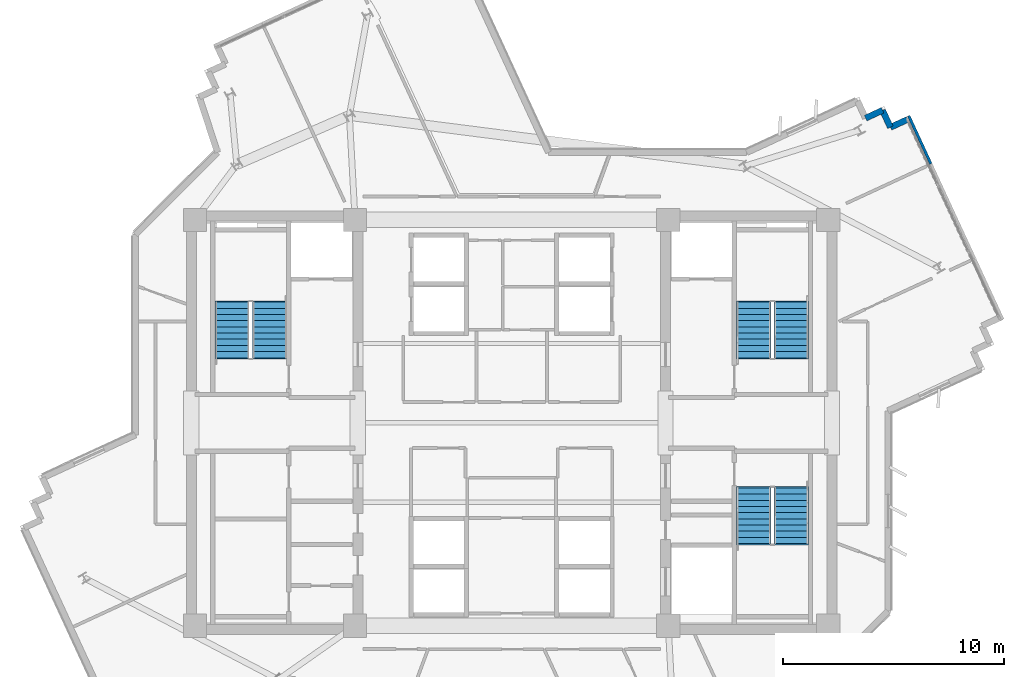
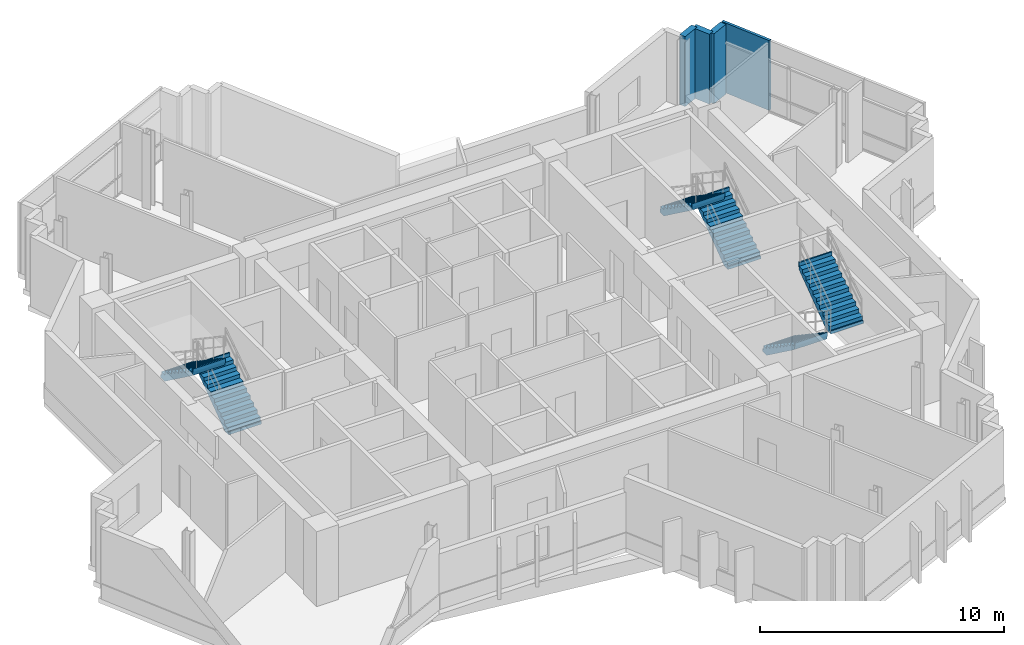
# One storey, part 9 of 12: 6 stair flights, 4 walls, 3 elements without a shape of their own.
"""IFC4 building model written with IfcOpenShell, lengths in metres."""

from ifc_helpers import new_model, si_unit, direction, frame, frame_2d, origin, place, context, subcontext, project, spatial, polyline, rectangle, outline, extrude, source, transform, mapped, material, layer, layer_set, type_object, element, aggregate, save


model = new_model("IFC4")

# Units and contexts
model_context = context("Model", 3, precision=1e-05, world=origin(), true_north=direction((0.0, 1.0)))
body_context = subcontext(model_context, "Body", "Model", "MODEL_VIEW")
ifc_project = project(units=[si_unit("LENGTHUNIT", "METRE"), si_unit("AREAUNIT", "SQUARE_METRE"), si_unit("VOLUMEUNIT", "CUBIC_METRE"), si_unit("PLANEANGLEUNIT", "RADIAN"), si_unit("MASSUNIT", "GRAM", prefix="KILO")], contexts=[model_context])

# Site, building, storey
site_placement = place(None, origin())
site = spatial("IfcSite", under=ifc_project, at=site_placement, CompositionType="ELEMENT")
building_placement = place(site_placement, origin())
building = spatial("IfcBuilding", under=site, at=building_placement, Name="Zahravan Cultural Tower", CompositionType="ELEMENT")
storey_placement = place(building_placement, frame((0.0, 0.0, 239.10009765625)))
storey = spatial("IfcBuildingStorey", under=building, at=storey_placement, Name="L56", CompositionType="ELEMENT", Elevation=239.10009765625)

# Walls
ifc_material_1 = material(Name="Precast concrete C40/50", Category="concrete")
ifc_layer_1 = layer(ifc_material_1, 0.280029296875)
ifc_layer_set_1 = layer_set([ifc_layer_1], Name="Precast concrete C40/50")
wall_type_1 = type_object("IfcWallType", Name="EW-TC-280", PredefinedType="SOLIDWALL", material=ifc_layer_set_1)
shared_shape_1 = source(origin(), body_context, "Body", "SweptSolid", [
    extrude(rectangle(XDim=0.85009765625, YDim=0.280029296875, at=frame_2d((0.425048828125, 0.0))), origin(), (0.0, 0.0, 1.0), 3.5),
])
for number, where, z_axis, x_axis, name in (
    (1, (52.81689453125, 41.1708984375, 0.0), (0.0, 0.0, 1.0), (0.419313139191, -0.907841666427, 0.0), "L56 Exterior Masonry Frame Wall 04"),
    (2, (53.17333984375, 40.399169921875, 0.0), (0.0, 0.0, 1.0), (0.907841666427, 0.419313139191, 0.0), "L56 Exterior Masonry Frame Wall 05"),
):
    element("IfcWall", number, at=place(storey_placement, frame(where, z_axis=z_axis, x_axis=x_axis)), inside=storey, type_object=wall_type_1, Name=name, PredefinedType="SOLIDWALL", context=body_context, shape_type="MappedRepresentation", body=[
        mapped(shared_shape_1, transform((0.0, 0.0, 0.0), x_axis=(1.0, 0.0, 0.0), y_axis=(0.0, 1.0, 0.0), z_axis=(0.0, 0.0, 1.0), scale=1.0)),
    ])
shared_shape_2 = source(origin(), body_context, "Body", "SweptSolid", [
    extrude(rectangle(XDim=0.849853515625, YDim=0.280029296875, at=frame_2d((0.4248046875, 0.0))), origin(), (0.0, 0.0, 1.0), 3.5),
])
wall_1_placement = place(storey_placement, frame((52.04541015625, 40.814208984375, 0.0), z_axis=(0.0, 0.0, 1.0), x_axis=(0.907681752694, 0.41965919009, 0.0)))
element("IfcWall", 3, at=wall_1_placement, inside=storey, type_object=wall_type_1, Name="L56 Exterior Masonry Frame Wall 03", PredefinedType="SOLIDWALL", context=body_context, shape_type="MappedRepresentation", body=[
    mapped(shared_shape_2, transform((0.0, 0.0, 0.0), x_axis=(1.0, 0.0, 0.0), y_axis=(0.0, 1.0, 0.0), z_axis=(0.0, 0.0, 1.0), scale=1.0)),
])
ifc_material_2 = material(Name="Gypsum plasterboard partition")
ifc_layer_2 = layer(ifc_material_2, 0.125)
ifc_layer_set_2 = layer_set([ifc_layer_2], Name="Gypsum plasterboard partition")
wall_type_2 = type_object("IfcWallType", Name="W-PART-125", PredefinedType="PARTITIONING", material=ifc_layer_set_2)
shared_shape_3 = source(origin(), body_context, "Body", "SweptSolid", [
    extrude(rectangle(XDim=2.389892578125, YDim=0.125, at=frame_2d((1.19482421875, 0.0))), origin(), (0.0, 0.0, 1.0), 3.5),
])
wall_2_placement = place(storey_placement, frame((54.003662109375, 40.914794921875, 0.0), z_axis=(0.0, 0.0, 1.0), x_axis=(0.419459790898, -0.907773916688, 0.0)))
element("IfcWall", 4, at=wall_2_placement, inside=storey, type_object=wall_type_2, Name="L56 Interior Wall 100", PredefinedType="PARTITIONING", context=body_context, shape_type="MappedRepresentation", body=[
    mapped(shared_shape_3, transform((0.0, 0.0, 0.0), x_axis=(1.0, 0.0, 0.0), y_axis=(0.0, 1.0, 0.0), z_axis=(0.0, 0.0, 1.0), scale=1.0)),
])

# Stair, stair flights
ifc_material_3 = material(Name="Concrete C45/55", Category="concrete")
stair_type = type_object("IfcStairType", Name="STR-DL-1550-375", PredefinedType="HALF_TURN_STAIR", material=ifc_material_3)
stair_1_placement = place(storey_placement, origin())
stair_1 = element("IfcStair", 5, at=stair_1_placement, inside=storey, type_object=stair_type, Name="L56 West Core North Exit Stair ST-W1", PredefinedType="HALF_TURN_STAIR")
stair_flight_type = type_object("IfcStairFlightType", Name="FLG-DL-1550-375", PredefinedType="STRAIGHT", material=ifc_material_3)
stair_flight_1_placement = place(storey_placement, frame((25.02490234375, 29.949951171875, 0.0), z_axis=(0.0, 0.0, 1.0), x_axis=(0.0, 1.0, 0.0)))
stair_flight_1 = element("IfcStairFlight", 6, at=stair_flight_1_placement, type_object=stair_flight_type, Name="ST-W1 flight 1", NumberOfRisers=10, NumberOfTreads=9, PredefinedType="STRAIGHT", RiserHeight=0.1875, TreadLength=0.28, context=body_context, shape_type="SweptSolid", body=[
    extrude(outline(polyline([(-0.06494140625, -0.139892578125), (-0.06494140625, 0.0), (0.0, 0.0), (0.0, 0.1875), (0.280029296875, 0.1875), (0.280029296875, 0.375), (0.56005859375, 0.375), (0.56005859375, 0.5625), (0.840087890625, 0.5625), (0.840087890625, 0.75), (1.1201171875, 0.75), (1.1201171875, 0.9375), (1.39990234375, 0.9375), (1.39990234375, 1.125), (1.679931640625, 1.125), (1.679931640625, 1.3125), (1.9599609375, 1.3125), (1.9599609375, 1.5), (2.239990234375, 1.5), (2.239990234375, 1.6875), (2.52001953125, 1.6875), (2.52001953125, 1.875), (2.5849609375, 1.875), (2.5849609375, 1.72509765625), (2.52001953125, 1.507080078125), (0.26953125, -0.139892578125), (-0.06494140625, -0.139892578125)])), frame((0.0, 0.77490234375, 0.0), z_axis=(0.0, -1.0, 0.0), x_axis=(1.0, 0.0, 0.0)), (0.0, 0.0, 1.0), 1.550048828125),
])
stair_flight_2_placement = place(storey_placement, frame((23.324951171875, 32.469970703125, 1.875), z_axis=(0.0, 0.0, 1.0), x_axis=(0.0, -1.0, 0.0)))
stair_flight_2 = element("IfcStairFlight", 7, at=stair_flight_2_placement, type_object=stair_flight_type, Name="ST-W1 flight 2", NumberOfRisers=10, NumberOfTreads=9, PredefinedType="STRAIGHT", RiserHeight=0.1875, TreadLength=0.28, context=body_context, shape_type="SweptSolid", body=[
    extrude(outline(polyline([(-0.06494140625, -0.139892578125), (-0.06494140625, 0.0), (0.0, 0.0), (0.0, 0.1875), (0.280029296875, 0.1875), (0.280029296875, 0.375), (0.56005859375, 0.375), (0.56005859375, 0.5625), (0.840087890625, 0.5625), (0.840087890625, 0.75), (1.1201171875, 0.75), (1.1201171875, 0.9375), (1.39990234375, 0.9375), (1.39990234375, 1.125), (1.679931640625, 1.125), (1.679931640625, 1.3125), (1.9599609375, 1.3125), (1.9599609375, 1.5), (2.239990234375, 1.5), (2.239990234375, 1.6875), (2.52001953125, 1.6875), (2.52001953125, 1.875), (2.5849609375, 1.875), (2.5849609375, 1.72509765625), (2.52001953125, 1.507080078125), (0.26953125, -0.139892578125), (-0.06494140625, -0.139892578125)])), frame((0.0, 0.77490234375, 0.0), z_axis=(0.0, -1.0, 0.0), x_axis=(1.0, 0.0, 0.0)), (0.0, 0.0, 1.0), 1.550048828125),
])
aggregate(stair_1, [stair_flight_1, stair_flight_2])

stair_2_placement = place(storey_placement, origin())
stair_2 = element("IfcStair", 8, at=stair_2_placement, inside=storey, type_object=stair_type, Name="L56 East Core North Exit Stair ST-E1", PredefinedType="HALF_TURN_STAIR")
stair_flight_3_placement = place(storey_placement, frame((48.675048828125, 29.949951171875, 0.0), z_axis=(0.0, 0.0, 1.0), x_axis=(0.0, 1.0, 0.0)))
stair_flight_3 = element("IfcStairFlight", 9, at=stair_flight_3_placement, type_object=stair_flight_type, Name="ST-E1 flight 1", NumberOfRisers=10, NumberOfTreads=9, PredefinedType="STRAIGHT", RiserHeight=0.1875, TreadLength=0.28, context=body_context, shape_type="SweptSolid", body=[
    extrude(outline(polyline([(-0.06494140625, -0.139892578125), (-0.06494140625, 0.0), (0.0, 0.0), (0.0, 0.1875), (0.280029296875, 0.1875), (0.280029296875, 0.375), (0.56005859375, 0.375), (0.56005859375, 0.5625), (0.840087890625, 0.5625), (0.840087890625, 0.75), (1.1201171875, 0.75), (1.1201171875, 0.9375), (1.39990234375, 0.9375), (1.39990234375, 1.125), (1.679931640625, 1.125), (1.679931640625, 1.3125), (1.9599609375, 1.3125), (1.9599609375, 1.5), (2.239990234375, 1.5), (2.239990234375, 1.6875), (2.52001953125, 1.6875), (2.52001953125, 1.875), (2.5849609375, 1.875), (2.5849609375, 1.72509765625), (2.52001953125, 1.507080078125), (0.26953125, -0.139892578125), (-0.06494140625, -0.139892578125)])), frame((0.0, 0.77490234375, 0.0), z_axis=(0.0, -1.0, 0.0), x_axis=(1.0, 0.0, 0.0)), (0.0, 0.0, 1.0), 1.550048828125),
])
stair_flight_4_placement = place(storey_placement, frame((46.97509765625, 32.469970703125, 1.875), z_axis=(0.0, 0.0, 1.0), x_axis=(0.0, -1.0, 0.0)))
stair_flight_4 = element("IfcStairFlight", 10, at=stair_flight_4_placement, type_object=stair_flight_type, Name="ST-E1 flight 2", NumberOfRisers=10, NumberOfTreads=9, PredefinedType="STRAIGHT", RiserHeight=0.1875, TreadLength=0.28, context=body_context, shape_type="SweptSolid", body=[
    extrude(outline(polyline([(-0.06494140625, -0.139892578125), (-0.06494140625, 0.0), (0.0, 0.0), (0.0, 0.1875), (0.280029296875, 0.1875), (0.280029296875, 0.375), (0.56005859375, 0.375), (0.56005859375, 0.5625), (0.840087890625, 0.5625), (0.840087890625, 0.75), (1.1201171875, 0.75), (1.1201171875, 0.9375), (1.39990234375, 0.9375), (1.39990234375, 1.125), (1.679931640625, 1.125), (1.679931640625, 1.3125), (1.9599609375, 1.3125), (1.9599609375, 1.5), (2.239990234375, 1.5), (2.239990234375, 1.6875), (2.52001953125, 1.6875), (2.52001953125, 1.875), (2.5849609375, 1.875), (2.5849609375, 1.72509765625), (2.52001953125, 1.507080078125), (0.26953125, -0.139892578125), (-0.06494140625, -0.139892578125)])), frame((0.0, 0.77490234375, 0.0), z_axis=(0.0, -1.0, 0.0), x_axis=(1.0, 0.0, 0.0)), (0.0, 0.0, 1.0), 1.550048828125),
])
aggregate(stair_2, [stair_flight_3, stair_flight_4])

stair_3_placement = place(storey_placement, origin())
stair_3 = element("IfcStair", 11, at=stair_3_placement, inside=storey, type_object=stair_type, Name="L56 East Core South Exit Stair ST-E2", PredefinedType="HALF_TURN_STAIR")
stair_flight_5_placement = place(storey_placement, frame((46.97509765625, 24.050048828125, 0.0), z_axis=(0.0, 0.0, 1.0), x_axis=(0.0, -1.0, 0.0)))
stair_flight_5 = element("IfcStairFlight", 12, at=stair_flight_5_placement, type_object=stair_flight_type, Name="ST-E2 flight 1", NumberOfRisers=10, NumberOfTreads=9, PredefinedType="STRAIGHT", RiserHeight=0.1875, TreadLength=0.28, context=body_context, shape_type="SweptSolid", body=[
    extrude(outline(polyline([(-0.06494140625, -0.139892578125), (-0.06494140625, 0.0), (0.0, 0.0), (0.0, 0.1875), (0.280029296875, 0.1875), (0.280029296875, 0.375), (0.56005859375, 0.375), (0.56005859375, 0.5625), (0.840087890625, 0.5625), (0.840087890625, 0.75), (1.1201171875, 0.75), (1.1201171875, 0.9375), (1.39990234375, 0.9375), (1.39990234375, 1.125), (1.679931640625, 1.125), (1.679931640625, 1.3125), (1.9599609375, 1.3125), (1.9599609375, 1.5), (2.239990234375, 1.5), (2.239990234375, 1.6875), (2.52001953125, 1.6875), (2.52001953125, 1.875), (2.5849609375, 1.875), (2.5849609375, 1.72509765625), (2.52001953125, 1.507080078125), (0.26953125, -0.139892578125), (-0.06494140625, -0.139892578125)])), frame((0.0, 0.77490234375, 0.0), z_axis=(0.0, -1.0, 0.0), x_axis=(1.0, 0.0, 0.0)), (0.0, 0.0, 1.0), 1.550048828125),
])
stair_flight_6_placement = place(storey_placement, frame((48.675048828125, 21.530029296875, 1.875), z_axis=(0.0, 0.0, 1.0), x_axis=(0.0, 1.0, 0.0)))
stair_flight_6 = element("IfcStairFlight", 13, at=stair_flight_6_placement, type_object=stair_flight_type, Name="ST-E2 flight 2", NumberOfRisers=10, NumberOfTreads=9, PredefinedType="STRAIGHT", RiserHeight=0.1875, TreadLength=0.28, context=body_context, shape_type="SweptSolid", body=[
    extrude(outline(polyline([(-0.06494140625, -0.139892578125), (-0.06494140625, 0.0), (0.0, 0.0), (0.0, 0.1875), (0.280029296875, 0.1875), (0.280029296875, 0.375), (0.56005859375, 0.375), (0.56005859375, 0.5625), (0.840087890625, 0.5625), (0.840087890625, 0.75), (1.1201171875, 0.75), (1.1201171875, 0.9375), (1.39990234375, 0.9375), (1.39990234375, 1.125), (1.679931640625, 1.125), (1.679931640625, 1.3125), (1.9599609375, 1.3125), (1.9599609375, 1.5), (2.239990234375, 1.5), (2.239990234375, 1.6875), (2.52001953125, 1.6875), (2.52001953125, 1.875), (2.5849609375, 1.875), (2.5849609375, 1.72509765625), (2.52001953125, 1.507080078125), (0.26953125, -0.139892578125), (-0.06494140625, -0.139892578125)])), frame((0.0, 0.77490234375, 0.0), z_axis=(0.0, -1.0, 0.0), x_axis=(1.0, 0.0, 0.0)), (0.0, 0.0, 1.0), 1.550048828125),
])
aggregate(stair_3, [stair_flight_5, stair_flight_6])

save(model, "model.ifc")
